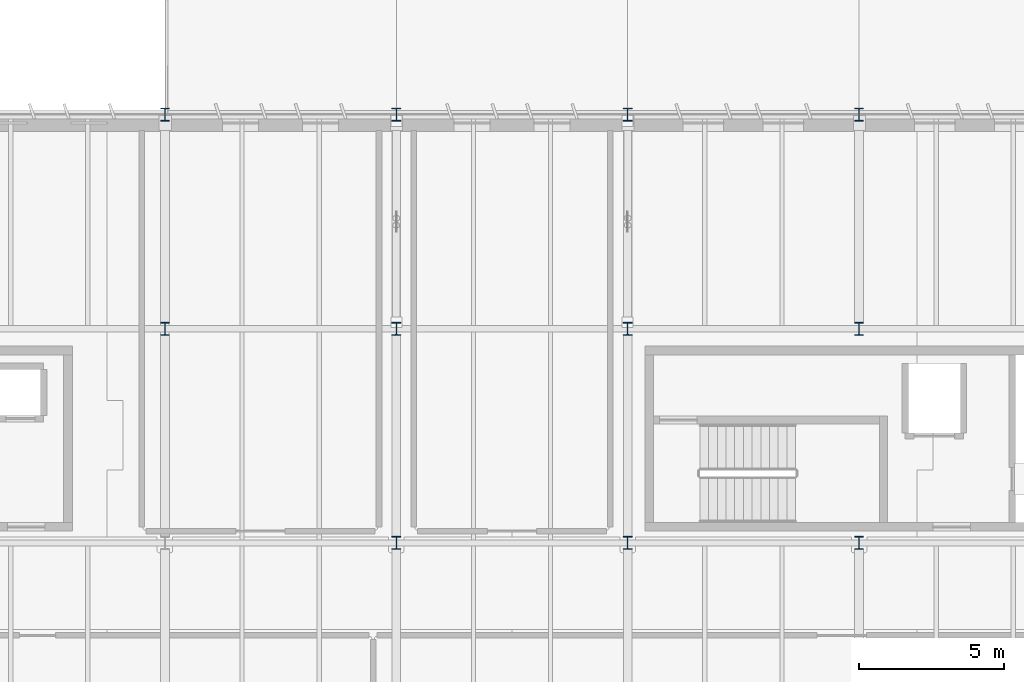
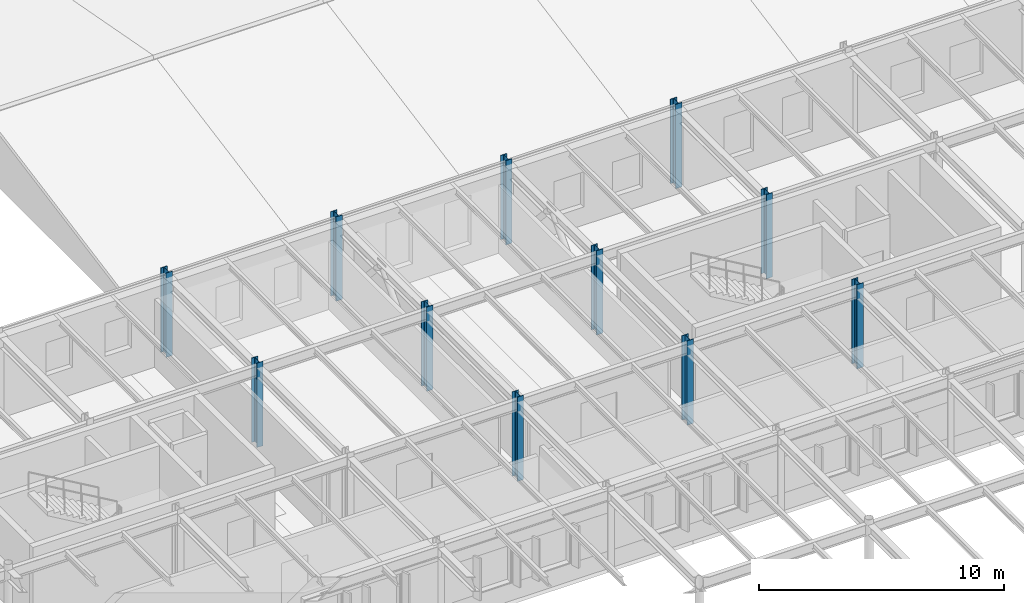
# One storey, part 7 of 63: 11 columns.
"""IFC4 building model written with IfcOpenShell, lengths in metres."""

import ifcopenshell
import ifcopenshell.guid

model = None  # the IFC model being written
_history = None  # IfcOwnerHistory: only IFC2X3 demands one
_inside = {}  # id of a spatial element -> (the spatial element, [elements in it])
_under = {}  # id of a project, library or spatial element -> (it, [spatial elements below it])
_declared = {}  # id of a project -> (the project, [libraries it declares])
_typed = {}  # id of a type object -> (the type object, [elements of that type])
_made_of = {}  # id of a material, layer set ... -> (it, [elements and type objects made of it])


def new_model(schema):
    """Start an empty IFC model of exactly this schema.

    Asked for "IFC4X3", IfcOpenShell would pick the latest addendum, in which some entities
    have other attributes; the version numbers below select the first issue.
    IFC2X3 requires an IfcOwnerHistory on every rooted entity: one is made here for all.
    """
    global model, _history
    if schema == "IFC4X3":
        model = ifcopenshell.file(schema_version=(4, 3, 0, 0))
    else:
        model = ifcopenshell.file(schema=schema)
    _inside.clear()
    _under.clear()
    _declared.clear()
    _typed.clear()
    _made_of.clear()
    _history = None
    if model.schema == "IFC2X3":
        org = make("IfcOrganization", Name="unknown")
        user = make(
            "IfcPersonAndOrganization",
            ThePerson=make("IfcPerson", FamilyName="unknown"),
            TheOrganization=org,
        )
        app = make(
            "IfcApplication",
            ApplicationDeveloper=org,
            Version="unknown",
            ApplicationFullName="unknown",
            ApplicationIdentifier="unknown",
        )
        _history = make(
            "IfcOwnerHistory",
            OwningUser=user,
            OwningApplication=app,
            ChangeAction="ADDED",
            CreationDate=0,
        )
    return model


def make(cls, **values):
    """One entity of the class cls with the attributes given. An attribute that is None is left unset."""
    return model.create_entity(
        cls, **{name: value for name, value in values.items() if value is not None}
    )


def rooted(cls, **values):
    """An entity with a GlobalId (a new one), such as an element, a storey or a relation."""
    return make(cls, GlobalId=ifcopenshell.guid.new(), OwnerHistory=_history, **values)


def si_unit(unit_type, name, prefix=None):
    """IfcSIUnit, for example si_unit("LENGTHUNIT", "METRE", prefix="MILLI")."""
    return make("IfcSIUnit", UnitType=unit_type, Prefix=prefix, Name=name)


def assignment(units):
    """IfcUnitAssignment: the units of a project."""
    return None if units is None else make("IfcUnitAssignment", Units=units)


def point(xyz):
    """IfcCartesianPoint."""
    return None if xyz is None else make("IfcCartesianPoint", Coordinates=xyz)


def direction(xyz):
    """IfcDirection."""
    return None if xyz is None else make("IfcDirection", DirectionRatios=xyz)


def frame(location, z_axis=None, x_axis=None):
    """IfcAxis2Placement3D, a coordinate frame: its origin and axes. An axis left out is left unset."""
    return make(
        "IfcAxis2Placement3D",
        Location=point(location),
        Axis=direction(z_axis),
        RefDirection=direction(x_axis),
    )


def frame_2d(location, x_axis=None):
    """IfcAxis2Placement2D, a coordinate frame in the plane: its origin and x axis."""
    return make(
        "IfcAxis2Placement2D", Location=point(location), RefDirection=direction(x_axis)
    )


def origin():
    """The frame at (0, 0, 0) with its axes left unset."""
    return frame((0.0, 0.0, 0.0))


def origin_2d():
    """The frame at (0, 0) in the plane with its x axis left unset."""
    return frame_2d((0.0, 0.0))


def place(relative_to, where):
    """IfcLocalPlacement: puts the frame where relative to a parent placement (None: the world)."""
    return make(
        "IfcLocalPlacement", PlacementRelTo=relative_to, RelativePlacement=where
    )


def context(
    kind, dimensions, precision=None, world=None, true_north=None, identifier=None
):
    """IfcGeometricRepresentationContext, for example the 3D "Model" context."""
    return make(
        "IfcGeometricRepresentationContext",
        ContextIdentifier=identifier,
        ContextType=kind,
        CoordinateSpaceDimension=dimensions,
        Precision=precision,
        WorldCoordinateSystem=world,
        TrueNorth=true_north,
    )


def subcontext(parent, identifier, kind, view, scale=None):
    """IfcGeometricRepresentationSubContext, for example "Body" below "Model"."""
    return make(
        "IfcGeometricRepresentationSubContext",
        ContextIdentifier=identifier,
        ContextType=kind,
        ParentContext=parent,
        TargetScale=scale,
        TargetView=view,
    )


def project(units=None, contexts=None):
    """IfcProject with its units and contexts."""
    return rooted(
        "IfcProject",
        Name="project",
        RepresentationContexts=contexts,
        UnitsInContext=assignment(units),
    )


def spatial(cls, under=None, at=None, **own):
    """A site, building, storey or space (cls), placed at a placement, below another one or the project."""
    s = rooted(cls, ObjectPlacement=at, **own)
    if under is not None:
        _under.setdefault(under.id(), (under, []))[1].append(s)
    return s


def profile(cls, at=None, kind="AREA", **sizes):
    """A parametric profile (cls). Its sizes go by their IFC names, for example OverallWidth=200.0."""
    return make(cls, ProfileType=kind, Position=at, **sizes)


def i_section(**sizes):
    """IfcIShapeProfileDef."""
    return profile("IfcIShapeProfileDef", **sizes)


def extrude(swept, where, along, depth):
    """IfcExtrudedAreaSolid: the profile swept, set in the frame where, extruded along a direction by depth."""
    return make(
        "IfcExtrudedAreaSolid",
        SweptArea=swept,
        Position=where,
        ExtrudedDirection=direction(along),
        Depth=depth,
    )


def shape(context_of_items, identifier, shape_type, items):
    """IfcShapeRepresentation: the items that make up one representation, for example the "Body"."""
    return make(
        "IfcShapeRepresentation",
        ContextOfItems=context_of_items,
        RepresentationIdentifier=identifier,
        RepresentationType=shape_type,
        Items=items,
    )


def material(Name=None, Category=None):
    """IfcMaterial."""
    return make("IfcMaterial", Name=Name, Category=Category)


def material_profile(
    of_material, cross_section, Name=None, Category=None, Priority=None
):
    """IfcMaterialProfile: a cross section and its material."""
    return make(
        "IfcMaterialProfile",
        Name=Name,
        Material=of_material,
        Profile=cross_section,
        Priority=Priority,
        Category=Category,
    )


def profile_set(profiles, Name=None, composite=None):
    """IfcMaterialProfileSet."""
    return make(
        "IfcMaterialProfileSet",
        Name=Name,
        MaterialProfiles=profiles,
        CompositeProfile=composite,
    )


def made_of(thing, what):
    """Note that an element or type object is made of a material, layer set ...; save() writes the relation."""
    if what is not None:
        _made_of.setdefault(what.id(), (what, []))[1].append(thing)
    return thing


def type_object(cls, material=None, **own):
    """A type object (cls), such as IfcWallType, which elements share."""
    return made_of(rooted(cls, **own), material)


def element(
    cls,
    number,
    at=None,
    inside=None,
    cuts=None,
    type_object=None,
    material=None,
    context=None,
    identifier="Body",
    shape_type=None,
    held_by="IfcProductDefinitionShape",
    body=None,
    shapes=None,
    **own,
):
    """One element of the class cls, such as IfcWall. Its Tag is "e" and its number.

    at: its placement. inside: the storey or other place that contains it. cuts: it is an
    opening in that element (IfcRelVoidsElement). A single representation is given by context,
    identifier, shape_type and body (its items); several are given by shapes. held_by: the class
    of the entity that holds the representations. save() writes the other relations.
    """
    e = rooted(cls, Tag="e%d" % number, ObjectPlacement=at, **own)
    if body is not None:
        shapes = [shape(context, identifier, shape_type, body)]
    if shapes is not None:
        e.Representation = make(held_by, Representations=shapes)
    if inside is not None:
        _inside.setdefault(inside.id(), (inside, []))[1].append(e)
    if cuts is not None:
        rooted(
            "IfcRelVoidsElement", RelatingBuildingElement=cuts, RelatedOpeningElement=e
        )
    if type_object is not None:
        _typed.setdefault(type_object.id(), (type_object, []))[1].append(e)
    return made_of(e, material)


def aggregate(whole, parts):
    """IfcRelAggregates: a whole, such as a stair, and the parts it consists of."""
    return rooted("IfcRelAggregates", RelatingObject=whole, RelatedObjects=parts)


def save(model, path):
    """Write the relations noted so far, then the file.

    IfcRelAggregates (storeys below a building ...), IfcRelContainedInSpatialStructure (elements
    in a storey), IfcRelDefinesByType, IfcRelAssociatesMaterial and IfcRelDeclares: one each for
    every whole, place, type object, material and project.
    """
    for whole, parts in _under.values():
        aggregate(whole, parts)
    for where, things in _inside.values():
        rooted(
            "IfcRelContainedInSpatialStructure",
            RelatedElements=things,
            RelatingStructure=where,
        )
    for kind, things in _typed.values():
        rooted("IfcRelDefinesByType", RelatedObjects=things, RelatingType=kind)
    for what, things in _made_of.values():
        rooted("IfcRelAssociatesMaterial", RelatedObjects=things, RelatingMaterial=what)
    for by, libraries in _declared.values():
        rooted("IfcRelDeclares", RelatingContext=by, RelatedDefinitions=libraries)
    model.write(path)


model = new_model("IFC4")

# Units and contexts
model_context = context("Model", 3, precision=1e-05, world=origin(), true_north=direction((0.0, 1.0)))
body_context = subcontext(model_context, "Body", "Model", "MODEL_VIEW")
ifc_project = project(units=[si_unit("LENGTHUNIT", "METRE"), si_unit("AREAUNIT", "SQUARE_METRE"), si_unit("VOLUMEUNIT", "CUBIC_METRE"), si_unit("PLANEANGLEUNIT", "RADIAN"), si_unit("MASSUNIT", "GRAM", prefix="KILO")], contexts=[model_context])

# Site, building, storey
site_placement = place(None, origin())
site = spatial("IfcSite", under=ifc_project, at=site_placement, CompositionType="ELEMENT")
building_placement = place(site_placement, origin())
building = spatial("IfcBuilding", under=site, at=building_placement, Name="Valkorina Park Police Headquarters", CompositionType="ELEMENT")
storey_placement = place(building_placement, frame((0.0, 0.0, 9.89990234375)))
storey = spatial("IfcBuildingStorey", under=building, at=storey_placement, Name="L03", CompositionType="ELEMENT", Elevation=9.89990234375)

# Columns
ifc_material = material(Name="Steel S355", Category="steel")
ifc_material_profile_1 = material_profile(ifc_material, i_section(OverallWidth=0.300048828125, OverallDepth=0.449951171875, WebThickness=0.013916015625, FlangeThickness=0.02587890625, FilletRadius=0.027099609375, at=origin_2d()), Name="HEB 450")
ifc_profile_set_1 = profile_set([ifc_material_profile_1], Name="Steel S355")
column_type_1 = type_object("IfcColumnType", Name="COL-S355-HEB450-EXT", PredefinedType="COLUMN", material=ifc_profile_set_1)
for number, where, z_axis, x_axis, name in (
    (1, (96.800048828125, 81.39990234375, 0.0), (0.0, 0.0, 1.0), (1.0, 0.0, 0.0), "L03 Column 0794"),
    (2, (104.800048828125, 81.39990234375, 0.0), (0.0, 0.0, 1.0), (1.0, 0.0, 0.0), "L03 Column 0801"),
    (3, (112.800048828125, 81.39990234375, 0.0), (0.0, 0.0, 1.0), (1.0, 0.0, 0.0), "L03 Column 0808"),
    (4, (120.800048828125, 81.39990234375, 0.0), (0.0, 0.0, 1.0), (1.0, 0.0, 0.0), "L03 Column 0815"),
):
    element("IfcColumn", number, at=place(storey_placement, frame(where, z_axis=z_axis, x_axis=x_axis)), inside=storey, type_object=column_type_1, Name=name, PredefinedType="COLUMN", context=body_context, shape_type="SweptSolid", body=[
        extrude(i_section(OverallWidth=0.300048828125, OverallDepth=0.449951171875, WebThickness=0.013916015625, FlangeThickness=0.02587890625, FilletRadius=0.027099609375, at=origin_2d()), origin(), (0.0, 0.0, 1.0), 4.2001953125),
    ])
ifc_material_profile_2 = material_profile(ifc_material, i_section(OverallWidth=0.300048828125, OverallDepth=0.449951171875, WebThickness=0.013916015625, FlangeThickness=0.02587890625, FilletRadius=0.027099609375, at=origin_2d()), Name="HEB 450")
ifc_profile_set_2 = profile_set([ifc_material_profile_2], Name="Steel S355")
column_type_2 = type_object("IfcColumnType", Name="COL-S355-HEB450-INT", PredefinedType="COLUMN", material=ifc_profile_set_2)
for number, where, z_axis, x_axis, name in (
    (5, (96.800048828125, 74.0, 0.0), (0.0, 0.0, 1.0), (1.0, 0.0, 0.0), "L03 Column 0793"),
    (6, (104.800048828125, 66.60009765625, 0.0), (0.0, 0.0, 1.0), (1.0, 0.0, 0.0), "L03 Column 0799"),
    (7, (104.800048828125, 74.0, 0.0), (0.0, 0.0, 1.0), (1.0, 0.0, 0.0), "L03 Column 0800"),
    (8, (112.800048828125, 66.60009765625, 0.0), (0.0, 0.0, 1.0), (1.0, 0.0, 0.0), "L03 Column 0806"),
    (9, (112.800048828125, 74.0, 0.0), (0.0, 0.0, 1.0), (1.0, 0.0, 0.0), "L03 Column 0807"),
    (10, (120.800048828125, 66.60009765625, 0.0), (0.0, 0.0, 1.0), (1.0, 0.0, 0.0), "L03 Column 0813"),
    (11, (120.800048828125, 74.0, 0.0), (0.0, 0.0, 1.0), (1.0, 0.0, 0.0), "L03 Column 0814"),
):
    element("IfcColumn", number, at=place(storey_placement, frame(where, z_axis=z_axis, x_axis=x_axis)), inside=storey, type_object=column_type_2, Name=name, PredefinedType="COLUMN", context=body_context, shape_type="SweptSolid", body=[
        extrude(i_section(OverallWidth=0.300048828125, OverallDepth=0.449951171875, WebThickness=0.013916015625, FlangeThickness=0.02587890625, FilletRadius=0.027099609375, at=origin_2d()), origin(), (0.0, 0.0, 1.0), 4.2001953125),
    ])

save(model, "model.ifc")
